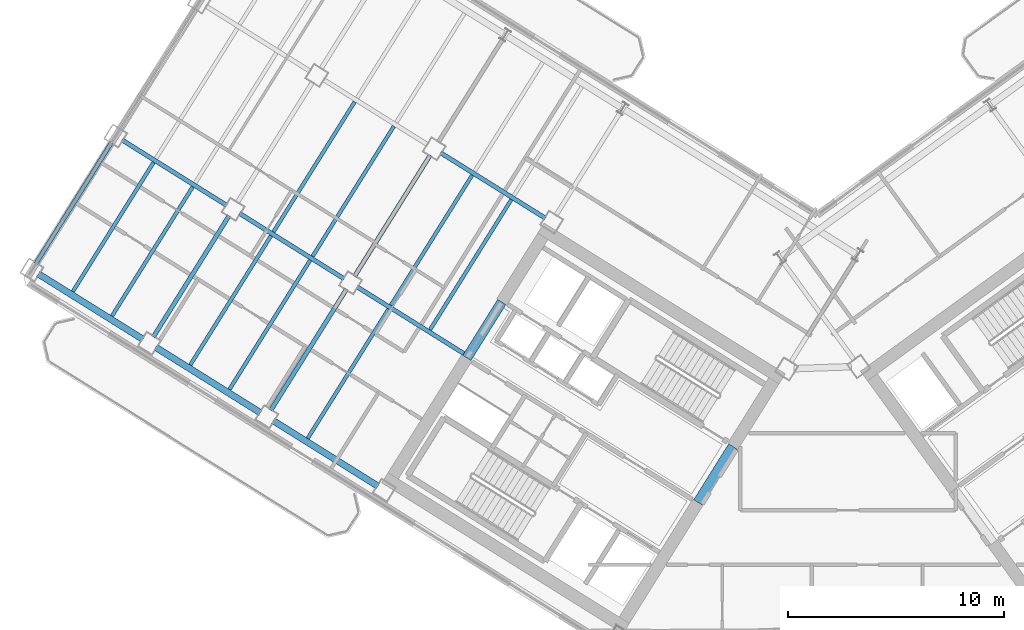
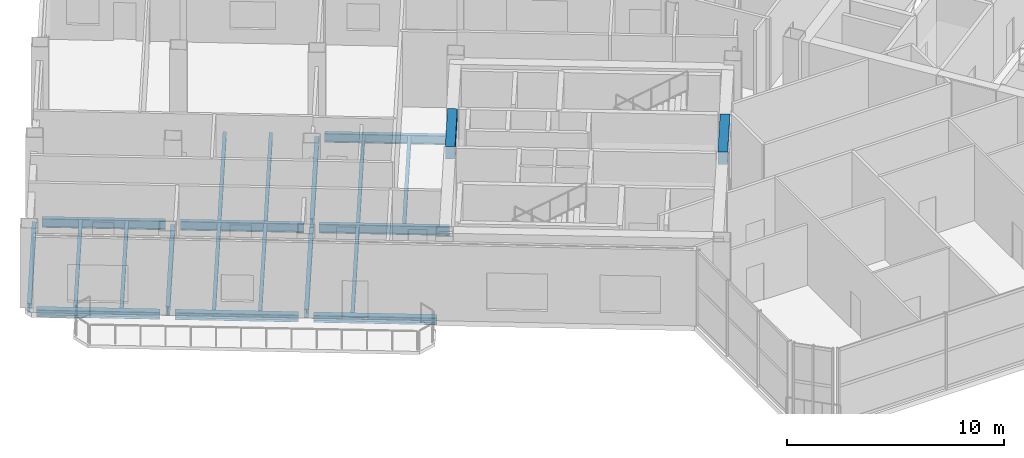
# One storey, part 5 of 21: 22 beams.
"""IFC4 building model written with IfcOpenShell, lengths in metres."""

from ifc_helpers import new_model, si_unit, direction, frame, origin, origin_2d, place, context, subcontext, project, spatial, rectangle, i_section, extrude, source, transform, mapped, material, material_profile, profile_set, type_object, element, save


model = new_model("IFC4")

# Units and contexts
model_context = context("Model", 3, precision=1e-05, world=origin(), true_north=direction((0.0, 1.0)))
body_context = subcontext(model_context, "Body", "Model", "MODEL_VIEW")
ifc_project = project(units=[si_unit("LENGTHUNIT", "METRE"), si_unit("AREAUNIT", "SQUARE_METRE"), si_unit("VOLUMEUNIT", "CUBIC_METRE"), si_unit("PLANEANGLEUNIT", "RADIAN"), si_unit("MASSUNIT", "GRAM", prefix="KILO")], contexts=[model_context])

# Site, building, storey
site_placement = place(None, origin())
site = spatial("IfcSite", under=ifc_project, at=site_placement, CompositionType="ELEMENT")
building_placement = place(site_placement, origin())
building = spatial("IfcBuilding", under=site, at=building_placement, Name="Tlacorven Tower", CompositionType="ELEMENT")
storey_placement = place(building_placement, frame((0.0, 0.0, 199.5)))
storey = spatial("IfcBuildingStorey", under=building, at=storey_placement, Name="L50", CompositionType="ELEMENT", Elevation=199.5)

# Beams
ifc_material_1 = material(Name="Concrete C60/75", Category="concrete")
ifc_material_profile_1 = material_profile(ifc_material_1, rectangle(XDim=0.449951171875, YDim=0.699951171875, at=origin_2d()), Name="RC 450X700")
ifc_profile_set_1 = profile_set([ifc_material_profile_1], Name="Concrete C60/75")
beam_type_1 = type_object("IfcBeamType", Name="BM-LNT-700", PredefinedType="LINTEL", material=ifc_profile_set_1)
shared_shape_1 = source(origin(), body_context, "Body", "SweptSolid", [
    extrude(rectangle(XDim=0.449951171875, YDim=0.699951171875, at=origin_2d()), origin(), (0.0, 0.0, 1.0), 3.050048828125),
])
beam_1_placement = place(storey_placement, frame((38.2998046875, 20.890625, 3.89990234375), z_axis=(-0.529984549635, -0.848007297815, 0.0), x_axis=(0.848007297815, -0.529984549635, 0.0)))
element("IfcBeam", 1, at=beam_1_placement, inside=storey, type_object=beam_type_1, Name="L50 W core coupling lintel beam E1", PredefinedType="LINTEL", context=body_context, shape_type="MappedRepresentation", body=[
    mapped(shared_shape_1, transform((0.0, 0.0, 0.0), scale=1.0)),
])
shared_shape_2 = source(origin(), body_context, "Body", "SweptSolid", [
    extrude(rectangle(XDim=0.449951171875, YDim=0.699951171875, at=origin_2d()), origin(), (0.0, 0.0, 1.0), 3.0498046875),
])
beam_2_placement = place(storey_placement, frame((27.622802734375, 27.562255859375, 3.89990234375), z_axis=(-0.529926983584, -0.848043272522, 0.0), x_axis=(0.848043272522, -0.529926983584, 0.0)))
element("IfcBeam", 2, at=beam_2_placement, inside=storey, type_object=beam_type_1, Name="L50 W core coupling lintel beam E2", PredefinedType="LINTEL", context=body_context, shape_type="MappedRepresentation", body=[
    mapped(shared_shape_2, transform((0.0, 0.0, 0.0), scale=1.0)),
])
ifc_material_2 = material(Name="Steel S355J2", Category="steel")
ifc_material_profile_2 = material_profile(ifc_material_2, i_section(OverallWidth=0.199951171875, OverallDepth=0.5, WebThickness=0.01025390625, FlangeThickness=0.01611328125, at=origin_2d()), Name="IPE 500")
ifc_profile_set_2 = profile_set([ifc_material_profile_2], Name="Steel S355J2")
beam_type_2 = type_object("IfcBeamType", Name="BM-TWR-500", PredefinedType="BEAM", material=ifc_profile_set_2)
shared_shape_3 = source(origin(), body_context, "Body", "SweptSolid", [
    extrude(i_section(OverallWidth=0.199951171875, OverallDepth=0.5, WebThickness=0.01025390625, FlangeThickness=0.01611328125, at=origin_2d()), origin(), (0.0, 0.0, 1.0), 6.010009765625),
])
beam_3_placement = place(storey_placement, frame((26.025634765625, 25.081787109375, -0.530029296875), z_axis=(-0.848043944584, 0.529925908081, 0.0), x_axis=(-0.529925908081, -0.848043944584, 0.0)))
element("IfcBeam", 3, at=beam_3_placement, inside=storey, type_object=beam_type_2, Name="L50 beam BM-L50-WL3-3", PredefinedType="BEAM", context=body_context, shape_type="MappedRepresentation", body=[
    mapped(shared_shape_3, transform((0.0, 0.0, 0.0), scale=1.0)),
])
shared_shape_4 = source(origin(), body_context, "Body", "SweptSolid", [
    extrude(i_section(OverallWidth=0.199951171875, OverallDepth=0.5, WebThickness=0.01025390625, FlangeThickness=0.01611328125, at=origin_2d()), origin(), (0.0, 0.0, 1.0), 5.7001953125),
])
for number, where, z_axis, x_axis, name in (
    (4, (20.335205078125, 28.637451171875, -0.530029296875), (-0.848036800771, 0.529937340199, 0.0), (-0.529937340199, -0.848036800771, 0.0), "L50 beam BM-L50-WL3-4"),
    (5, (14.90771484375, 32.029052734375, -0.530029296875), (-0.848056048787, 0.529906537151, 0.0), (-0.529906537151, -0.848056048787, 0.0), "L50 beam BM-L50-WL3-5"),
):
    element("IfcBeam", number, at=place(storey_placement, frame(where, z_axis=z_axis, x_axis=x_axis)), inside=storey, type_object=beam_type_2, Name=name, PredefinedType="BEAM", context=body_context, shape_type="MappedRepresentation", body=[
        mapped(shared_shape_4, transform((0.0, 0.0, 0.0), scale=1.0)),
    ])
shared_shape_5 = source(origin(), body_context, "Body", "SweptSolid", [
    extrude(i_section(OverallWidth=0.199951171875, OverallDepth=0.5, WebThickness=0.01025390625, FlangeThickness=0.01611328125, at=origin_2d()), origin(), (0.0, 0.0, 1.0), 5.699951171875),
])
beam_4_placement = place(storey_placement, frame((29.631103515625, 31.436767578125, -0.530029296875), z_axis=(-0.848044021115, 0.529925785607, 0.0), x_axis=(-0.529925785607, -0.848044021115, 0.0)))
element("IfcBeam", 6, at=beam_4_placement, inside=storey, type_object=beam_type_2, Name="L50 beam BM-L50-WL2-3", PredefinedType="BEAM", context=body_context, shape_type="MappedRepresentation", body=[
    mapped(shared_shape_5, transform((0.0, 0.0, 0.0), scale=1.0)),
])
shared_shape_6 = source(origin(), body_context, "Body", "SweptSolid", [
    extrude(i_section(OverallWidth=0.199951171875, OverallDepth=0.5, WebThickness=0.01025390625, FlangeThickness=0.01611328125, at=origin_2d()), origin(), (0.0, 0.0, 1.0), 6.599853515625),
])
beam_5_placement = place(storey_placement, frame((24.31494140625, 34.345947265625, -0.530029296875), z_axis=(-0.529942412256, -0.848033631227, 0.0), x_axis=(0.848033631227, -0.529942412256, 0.0)))
element("IfcBeam", 7, at=beam_5_placement, inside=storey, type_object=beam_type_2, Name="L50 beam BM-L50-WT4-2", PredefinedType="BEAM", context=body_context, shape_type="MappedRepresentation", body=[
    mapped(shared_shape_6, transform((0.0, 0.0, 0.0), scale=1.0)),
])
shared_shape_7 = source(origin(), body_context, "Body", "SweptSolid", [
    extrude(i_section(OverallWidth=0.199951171875, OverallDepth=0.5, WebThickness=0.01025390625, FlangeThickness=0.01611328125, at=origin_2d()), origin(), (0.0, 0.0, 1.0), 6.60009765625),
])
for number, where, z_axis, x_axis, name in (
    (8, (20.446533203125, 28.1552734375, -0.530029296875), (-0.529925788294, -0.848044019436, 0.0), (0.848044019436, -0.529925788294, 0.0), "L50 beam BM-L50-WT4-3"),
    (9, (15.01904296875, 31.546875, -0.530029296875), (-0.529925788294, -0.848044019436, 0.0), (0.848044019436, -0.529925788294, 0.0), "L50 beam BM-L50-WT5-3"),
    (10, (9.591552734375, 34.938232421875, -0.530029296875), (-0.529925788294, -0.848044019436, 0.0), (0.848044019436, -0.529925788294, 0.0), "L50 beam BM-L50-WT6-3"),
):
    element("IfcBeam", number, at=place(storey_placement, frame(where, z_axis=z_axis, x_axis=x_axis)), inside=storey, type_object=beam_type_2, Name=name, PredefinedType="BEAM", context=body_context, shape_type="MappedRepresentation", body=[
        mapped(shared_shape_7, transform((0.0, 0.0, 0.0), scale=1.0)),
    ])
ifc_material_profile_3 = material_profile(ifc_material_2, i_section(OverallWidth=0.169921875, OverallDepth=0.360107421875, WebThickness=0.008056640625, FlangeThickness=0.0126953125, at=origin_2d()), Name="IPE 360")
ifc_profile_set_3 = profile_set([ifc_material_profile_3], Name="Steel S355J2")
beam_type_3 = type_object("IfcBeamType", Name="BM-JST-360", PredefinedType="JOIST", material=ifc_profile_set_3)
shared_shape_8 = source(origin(), body_context, "Body", "SweptSolid", [
    extrude(i_section(OverallWidth=0.169921875, OverallDepth=0.360107421875, WebThickness=0.008056640625, FlangeThickness=0.0126953125, at=origin_2d()), origin(), (0.0, 0.0, 1.0), 7.0400390625),
])
for number, where, z_axis, x_axis, name in (
    (11, (18.767333984375, 29.493408203125, -0.4599609375), (-0.529930359501, -0.848041162963, 0.0), (0.848041162963, -0.529930359501, 0.0), "L50 beam BM-L50-WJ4-3-1"),
    (12, (16.9580078125, 30.6240234375, -0.4599609375), (-0.529930359501, -0.848041162963, 0.0), (0.848041162963, -0.529930359501, 0.0), "L50 beam BM-L50-WJ4-3-2"),
    (13, (13.33984375, 32.885009765625, -0.4599609375), (-0.529930359501, -0.848041162963, 0.0), (0.848041162963, -0.529930359501, 0.0), "L50 beam BM-L50-WJ5-3-1"),
):
    element("IfcBeam", number, at=place(storey_placement, frame(where, z_axis=z_axis, x_axis=x_axis)), inside=storey, type_object=beam_type_3, Name=name, PredefinedType="JOIST", context=body_context, shape_type="MappedRepresentation", body=[
        mapped(shared_shape_8, transform((0.0, 0.0, 0.0), scale=1.0)),
    ])
shared_shape_9 = source(origin(), body_context, "Body", "SweptSolid", [
    extrude(i_section(OverallWidth=0.169921875, OverallDepth=0.360107421875, WebThickness=0.008056640625, FlangeThickness=0.0126953125, at=origin_2d()), origin(), (0.0, 0.0, 1.0), 7.090087890625),
])
for number, where, z_axis, x_axis, name in (
    (14, (28.063232421875, 32.292724609375, -0.4599609375), (-0.529912270669, -0.84805246618, 0.0), (0.84805246618, -0.529912270669, 0.0), "L50 beam BM-L50-WJ3-2-1"),
    (15, (26.25390625, 33.42333984375, -0.4599609375), (-0.529912270669, -0.84805246618, 0.0), (0.84805246618, -0.529912270669, 0.0), "L50 beam BM-L50-WJ3-2-2"),
    (16, (22.6357421875, 35.684326171875, -0.4599609375), (-0.529937035031, -0.848036991471, 0.0), (0.848036991471, -0.529937035031, 0.0), "L50 beam BM-L50-WJ4-2-1"),
):
    element("IfcBeam", number, at=place(storey_placement, frame(where, z_axis=z_axis, x_axis=x_axis)), inside=storey, type_object=beam_type_3, Name=name, PredefinedType="JOIST", context=body_context, shape_type="MappedRepresentation", body=[
        mapped(shared_shape_9, transform((0.0, 0.0, 0.0), scale=1.0)),
    ])
shared_shape_10 = source(origin(), body_context, "Body", "SweptSolid", [
    extrude(i_section(OverallWidth=0.169921875, OverallDepth=0.360107421875, WebThickness=0.008056640625, FlangeThickness=0.0126953125, at=origin_2d()), origin(), (0.0, 0.0, 1.0), 7.08984375),
])
beam_6_placement = place(storey_placement, frame((20.826416015625, 36.814697265625, -0.4599609375), z_axis=(-0.529927745663, -0.848042796312, 0.0), x_axis=(0.848042796312, -0.529927745663, 0.0)))
element("IfcBeam", 17, at=beam_6_placement, inside=storey, type_object=beam_type_3, Name="L50 beam BM-L50-WJ4-2-2", PredefinedType="JOIST", context=body_context, shape_type="MappedRepresentation", body=[
    mapped(shared_shape_10, transform((0.0, 0.0, 0.0), scale=1.0)),
])
shared_shape_11 = source(origin(), body_context, "Body", "SweptSolid", [
    extrude(i_section(OverallWidth=0.169921875, OverallDepth=0.360107421875, WebThickness=0.008056640625, FlangeThickness=0.0126953125, at=origin_2d()), origin(), (0.0, 0.0, 1.0), 7.040283203125),
])
for number, where, z_axis, x_axis, name in (
    (18, (22.385498046875, 27.232666015625, -0.4599609375), (-0.529914775015, -0.848050901315, 0.0), (0.848050901315, -0.529914775015, 0.0), "L50 beam BM-L50-WJ3-3-2"),
    (19, (11.530517578125, 34.015625, -0.4599609375), (-0.529914775015, -0.848050901315, 0.0), (0.848050901315, -0.529914775015, 0.0), "L50 beam BM-L50-WJ5-3-2"),
):
    element("IfcBeam", number, at=place(storey_placement, frame(where, z_axis=z_axis, x_axis=x_axis)), inside=storey, type_object=beam_type_3, Name=name, PredefinedType="JOIST", context=body_context, shape_type="MappedRepresentation", body=[
        mapped(shared_shape_11, transform((0.0, 0.0, 0.0), scale=1.0)),
    ])
ifc_material_profile_4 = material_profile(ifc_material_2, i_section(OverallWidth=0.300048828125, OverallDepth=0.389892578125, WebThickness=0.010986328125, FlangeThickness=0.01904296875, at=origin_2d()), Name="HEA 400")
ifc_profile_set_4 = profile_set([ifc_material_profile_4], Name="Steel S355J2")
beam_type_4 = type_object("IfcBeamType", Name="BM-SPN-400", PredefinedType="SPANDREL", material=ifc_profile_set_4)
shared_shape_12 = source(origin(), body_context, "Body", "SweptSolid", [
    extrude(i_section(OverallWidth=0.300048828125, OverallDepth=0.389892578125, WebThickness=0.010986328125, FlangeThickness=0.01904296875, at=origin_2d()), origin(), (0.0, 0.0, 1.0), 5.699951171875),
])
beam_7_placement = place(storey_placement, frame((21.894287109375, 19.055419921875, -0.47509765625), z_axis=(-0.848044021115, 0.529925785607, 0.0), x_axis=(-0.529925785607, -0.848044021115, 0.0)))
element("IfcBeam", 20, at=beam_7_placement, inside=storey, type_object=beam_type_4, Name="L50 beam BM-L50-WL4-3", PredefinedType="SPANDREL", context=body_context, shape_type="MappedRepresentation", body=[
    mapped(shared_shape_12, transform((0.0, 0.0, 0.0), scale=1.0)),
])
shared_shape_13 = source(origin(), body_context, "Body", "SweptSolid", [
    extrude(i_section(OverallWidth=0.300048828125, OverallDepth=0.389892578125, WebThickness=0.010986328125, FlangeThickness=0.01904296875, at=origin_2d()), origin(), (0.0, 0.0, 1.0), 5.7001953125),
])
for number, where, z_axis, x_axis, name in (
    (21, (16.466796875, 22.44677734375, -0.47509765625), (-0.848056048787, 0.529906537151, 0.0), (-0.529906537151, -0.848056048787, 0.0), "L50 beam BM-L50-WL4-4"),
    (22, (11.039306640625, 25.83837890625, -0.47509765625), (-0.848056048787, 0.529906537151, 0.0), (-0.529906537151, -0.848056048787, 0.0), "L50 beam BM-L50-WL4-5"),
):
    element("IfcBeam", number, at=place(storey_placement, frame(where, z_axis=z_axis, x_axis=x_axis)), inside=storey, type_object=beam_type_4, Name=name, PredefinedType="SPANDREL", context=body_context, shape_type="MappedRepresentation", body=[
        mapped(shared_shape_13, transform((0.0, 0.0, 0.0), scale=1.0)),
    ])

save(model, "model.ifc")
